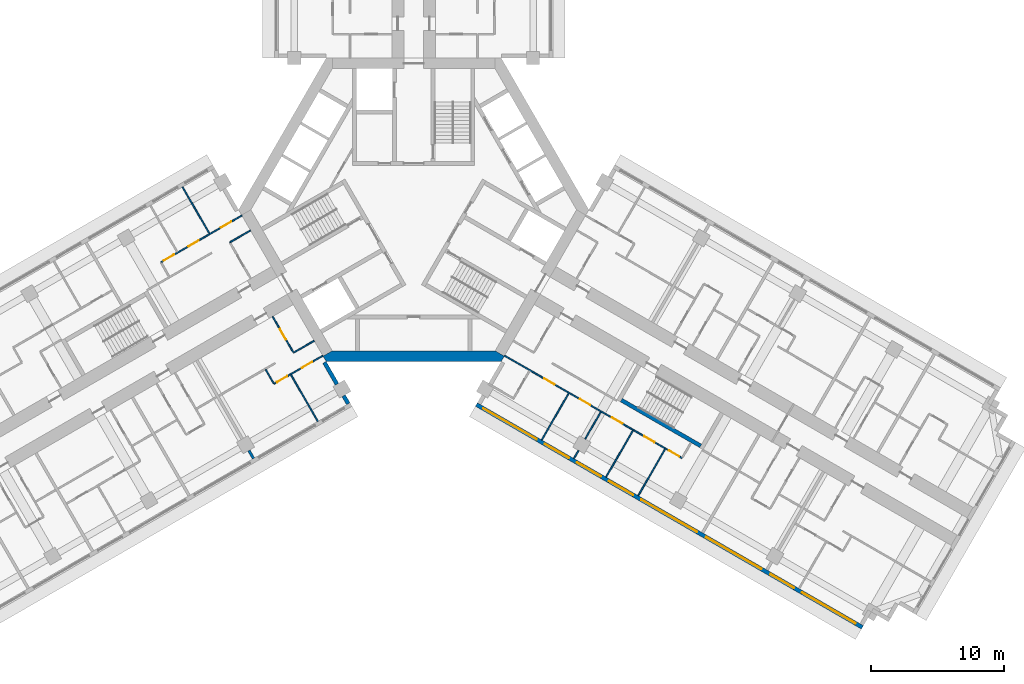
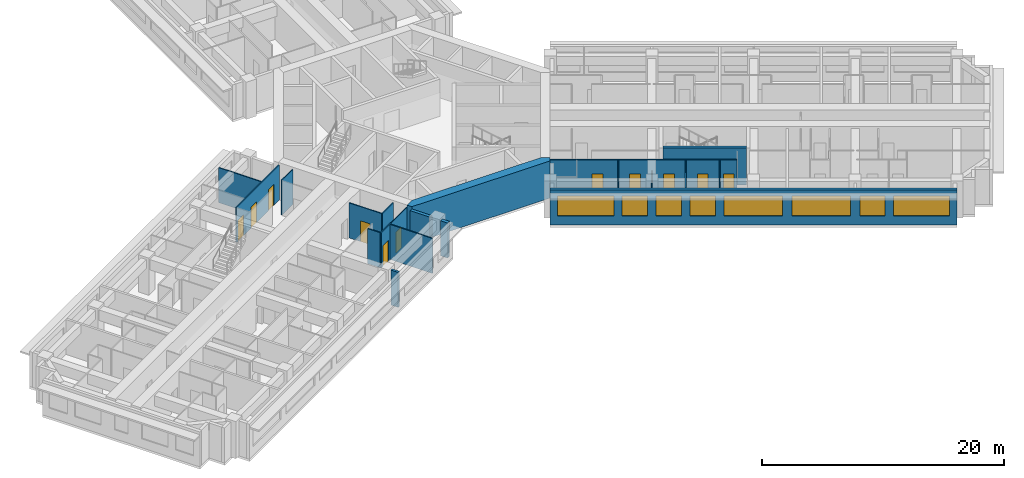
# One storey, part 6 of 16: 20 walls, 11 doors, 8 windows, 19 openings.
"""IFC4 building model written with IfcOpenShell, lengths in metres."""

from ifc_helpers import new_model, si_unit, direction, frame, frame_2d, origin, place, context, subcontext, project, spatial, polyline, rectangle, outline, extrude, material, layer, layer_set, type_object, element, fill, save


model = new_model("IFC4")

# Units and contexts
model_context = context("Model", 3, precision=1e-05, world=origin(), true_north=direction((0.0, 1.0)))
body_context = subcontext(model_context, "Body", "Model", "MODEL_VIEW")
ifc_project = project(units=[si_unit("LENGTHUNIT", "METRE"), si_unit("AREAUNIT", "SQUARE_METRE"), si_unit("VOLUMEUNIT", "CUBIC_METRE"), si_unit("PLANEANGLEUNIT", "RADIAN"), si_unit("MASSUNIT", "GRAM", prefix="KILO")], contexts=[model_context])

# Site, building, storey
site_placement = place(None, origin())
site = spatial("IfcSite", under=ifc_project, at=site_placement, CompositionType="ELEMENT")
building_placement = place(site_placement, origin())
building = spatial("IfcBuilding", under=site, at=building_placement, Name="Impinga Residences", CompositionType="ELEMENT")
storey_placement = place(building_placement, frame((0.0, 0.0, 106.0)))
storey = spatial("IfcBuildingStorey", under=building, at=storey_placement, Name="L25", CompositionType="ELEMENT", Elevation=106.0)

# Wall, openings, windows
ifc_material_1 = material(Name="Terracotta rainscreen on blockwork", Category="masonry")
ifc_layer_1 = layer(ifc_material_1, 0.300048828125)
ifc_layer_set_1 = layer_set([ifc_layer_1], Name="EW1 external wall, terracotta rainscreen on blockwork 300")
wall_type_1 = type_object("IfcWallType", Name="EW1 external wall, terracotta rainscreen on blockwork 300", PredefinedType="SOLIDWALL", material=ifc_layer_set_1)
wall_1_placement = place(storey_placement, frame((33.823486328125, -31.479248046875, 0.0), z_axis=(0.0, 0.0, 1.0), x_axis=(-0.866024291668, 0.500001926238, 0.0)))
wall_1 = element("IfcWall", 1, at=wall_1_placement, inside=storey, type_object=wall_type_1, Name="External wall EW1 L25", PredefinedType="SOLIDWALL", context=body_context, shape_type="SweptSolid", body=[
    extrude(rectangle(XDim=33.599853515625, YDim=0.300048828125, at=frame_2d((16.7998046875, 0.0))), origin(), (0.0, 0.0, 1.0), 3.530029296875),
])
opening_1_placement = place(wall_1_placement, frame((0.60009765625, 0.0, 0.89990234375)))
opening_1 = element("IfcOpeningElement", 2, at=opening_1_placement, cuts=wall_1, Name="Opening W10", PredefinedType="OPENING", context=body_context, shape_type="SweptSolid", body=[
    extrude(rectangle(XDim=4.64990234375, YDim=2.050048828125, at=frame_2d((2.324951171875, 1.02490234375))), frame((0.0, 0.159912109375, 0.0), z_axis=(0.0, -1.0, 0.0), x_axis=(1.0, 0.0, 0.0)), (0.0, 0.0, 1.0), 0.320068359375),
])
opening_2_placement = place(wall_1_placement, frame((5.949951171875, 0.0, 0.89990234375)))
opening_2 = element("IfcOpeningElement", 3, at=opening_2_placement, cuts=wall_1, Name="Opening W14", PredefinedType="OPENING", context=body_context, shape_type="SweptSolid", body=[
    extrude(rectangle(XDim=2.050048828125, YDim=2.050048828125, at=frame_2d((1.02490234375, 1.02490234375))), frame((0.0, 0.159912109375, 0.0), z_axis=(0.0, -1.0, 0.0), x_axis=(1.0, 0.0, 0.0)), (0.0, 0.0, 1.0), 0.320068359375),
])
opening_3_placement = place(wall_1_placement, frame((8.800048828125, 0.0, 0.89990234375)))
opening_3 = element("IfcOpeningElement", 4, at=opening_3_placement, cuts=wall_1, Name="Opening W8", PredefinedType="OPENING", context=body_context, shape_type="SweptSolid", body=[
    extrude(rectangle(XDim=4.800048828125, YDim=2.050048828125, at=frame_2d((2.39990234375, 1.02490234375))), frame((0.0, 0.159912109375, 0.0), z_axis=(0.0, -1.0, 0.0), x_axis=(1.0, 0.0, 0.0)), (0.0, 0.0, 1.0), 0.320068359375),
])
opening_4_placement = place(wall_1_placement, frame((14.39990234375, 0.0, 0.89990234375)))
opening_4 = element("IfcOpeningElement", 5, at=opening_4_placement, cuts=wall_1, Name="Opening W6", PredefinedType="OPENING", context=body_context, shape_type="SweptSolid", body=[
    extrude(rectangle(XDim=4.85009765625, YDim=2.050048828125, at=frame_2d((2.425048828125, 1.02490234375))), frame((0.0, 0.159912109375, 0.0), z_axis=(0.0, -1.0, 0.0), x_axis=(1.0, 0.0, 0.0)), (0.0, 0.0, 1.0), 0.320068359375),
])
opening_5_placement = place(wall_1_placement, frame((19.949951171875, 0.0, 0.89990234375)))
opening_5 = element("IfcOpeningElement", 6, at=opening_5_placement, cuts=wall_1, Name="Opening W9", PredefinedType="OPENING", context=body_context, shape_type="SweptSolid", body=[
    extrude(rectangle(XDim=2.10009765625, YDim=2.050048828125, at=frame_2d((1.050048828125, 1.02490234375))), frame((0.0, 0.159912109375, 0.0), z_axis=(0.0, -1.0, 0.0), x_axis=(1.0, 0.0, 0.0)), (0.0, 0.0, 1.0), 0.320068359375),
])
opening_6_placement = place(wall_1_placement, frame((22.75, 0.0, 0.89990234375)))
opening_6 = element("IfcOpeningElement", 7, at=opening_6_placement, cuts=wall_1, Name="Opening W9", PredefinedType="OPENING", context=body_context, shape_type="SweptSolid", body=[
    extrude(rectangle(XDim=2.10009765625, YDim=2.050048828125, at=frame_2d((1.050048828125, 1.02490234375))), frame((0.0, 0.159912109375, 0.0), z_axis=(0.0, -1.0, 0.0), x_axis=(1.0, 0.0, 0.0)), (0.0, 0.0, 1.0), 0.320068359375),
])
opening_7_placement = place(wall_1_placement, frame((25.550048828125, 0.0, 0.89990234375)))
opening_7 = element("IfcOpeningElement", 8, at=opening_7_placement, cuts=wall_1, Name="Opening W9", PredefinedType="OPENING", context=body_context, shape_type="SweptSolid", body=[
    extrude(rectangle(XDim=2.10009765625, YDim=2.050048828125, at=frame_2d((1.050048828125, 1.02490234375))), frame((0.0, 0.159912109375, 0.0), z_axis=(0.0, -1.0, 0.0), x_axis=(1.0, 0.0, 0.0)), (0.0, 0.0, 1.0), 0.320068359375),
])
opening_8_placement = place(wall_1_placement, frame((28.35009765625, 0.0, 0.89990234375)))
opening_8 = element("IfcOpeningElement", 9, at=opening_8_placement, cuts=wall_1, Name="Opening W10", PredefinedType="OPENING", context=body_context, shape_type="SweptSolid", body=[
    extrude(rectangle(XDim=4.64990234375, YDim=2.050048828125, at=frame_2d((2.324951171875, 1.02490234375))), frame((0.0, 0.159912109375, 0.0), z_axis=(0.0, -1.0, 0.0), x_axis=(1.0, 0.0, 0.0)), (0.0, 0.0, 1.0), 0.320068359375),
])
ifc_material_2 = material(Name="Aluminium window, clear double glazing", Category="aluminium")
window_type_1 = type_object("IfcWindowType", Name="W10 ribbon window 4650x2050", PartitioningType="SINGLE_PANEL", PredefinedType="WINDOW", material=ifc_material_2)
window_1_placement = place(opening_1_placement, origin())
window_1 = element("IfcWindow", 10, at=window_1_placement, inside=storey, type_object=window_type_1, Name="Window L25", OverallHeight=2.050048828125, OverallWidth=4.64990234375, PartitioningType="SINGLE_PANEL", PredefinedType="WINDOW", context=body_context, shape_type="SweptSolid", body=[
    extrude(rectangle(XDim=4.64990234375, YDim=2.050048828125, at=frame_2d((2.324951171875, 1.02490234375))), frame((0.0, 0.030029296875, 0.0), z_axis=(0.0, -1.0, 0.0), x_axis=(1.0, 0.0, 0.0)), (0.0, 0.0, 1.0), 0.06005859375),
])
fill(opening_1, window_1)
window_2_placement = place(opening_8_placement, origin())
window_2 = element("IfcWindow", 11, at=window_2_placement, inside=storey, type_object=window_type_1, Name="Window L25", OverallHeight=2.050048828125, OverallWidth=4.64990234375, PartitioningType="SINGLE_PANEL", PredefinedType="WINDOW", context=body_context, shape_type="SweptSolid", body=[
    extrude(rectangle(XDim=4.64990234375, YDim=2.050048828125, at=frame_2d((2.324951171875, 1.02490234375))), frame((0.0, 0.030029296875, 0.0), z_axis=(0.0, -1.0, 0.0), x_axis=(1.0, 0.0, 0.0)), (0.0, 0.0, 1.0), 0.06005859375),
])
fill(opening_8, window_2)
window_type_2 = type_object("IfcWindowType", Name="W14 ribbon window 2050x2050", PartitioningType="SINGLE_PANEL", PredefinedType="WINDOW", material=ifc_material_2)
window_3_placement = place(opening_2_placement, origin())
window_3 = element("IfcWindow", 12, at=window_3_placement, inside=storey, type_object=window_type_2, Name="Window L25", OverallHeight=2.050048828125, OverallWidth=2.050048828125, PartitioningType="SINGLE_PANEL", PredefinedType="WINDOW", context=body_context, shape_type="SweptSolid", body=[
    extrude(rectangle(XDim=2.050048828125, YDim=2.050048828125, at=frame_2d((1.02490234375, 1.02490234375))), frame((0.0, 0.030029296875, 0.0), z_axis=(0.0, -1.0, 0.0), x_axis=(1.0, 0.0, 0.0)), (0.0, 0.0, 1.0), 0.06005859375),
])
fill(opening_2, window_3)
window_type_3 = type_object("IfcWindowType", Name="W6 ribbon window 4850x2050", PartitioningType="SINGLE_PANEL", PredefinedType="WINDOW", material=ifc_material_2)
window_4_placement = place(opening_4_placement, origin())
window_4 = element("IfcWindow", 13, at=window_4_placement, inside=storey, type_object=window_type_3, Name="Window L25", OverallHeight=2.050048828125, OverallWidth=4.85009765625, PartitioningType="SINGLE_PANEL", PredefinedType="WINDOW", context=body_context, shape_type="SweptSolid", body=[
    extrude(rectangle(XDim=4.85009765625, YDim=2.050048828125, at=frame_2d((2.425048828125, 1.02490234375))), frame((0.0, 0.030029296875, 0.0), z_axis=(0.0, -1.0, 0.0), x_axis=(1.0, 0.0, 0.0)), (0.0, 0.0, 1.0), 0.06005859375),
])
fill(opening_4, window_4)
window_type_4 = type_object("IfcWindowType", Name="W8 ribbon window 4800x2050", PartitioningType="SINGLE_PANEL", PredefinedType="WINDOW", material=ifc_material_2)
window_5_placement = place(opening_3_placement, origin())
window_5 = element("IfcWindow", 14, at=window_5_placement, inside=storey, type_object=window_type_4, Name="Window L25", OverallHeight=2.050048828125, OverallWidth=4.800048828125, PartitioningType="SINGLE_PANEL", PredefinedType="WINDOW", context=body_context, shape_type="SweptSolid", body=[
    extrude(rectangle(XDim=4.800048828125, YDim=2.050048828125, at=frame_2d((2.39990234375, 1.02490234375))), frame((0.0, 0.030029296875, 0.0), z_axis=(0.0, -1.0, 0.0), x_axis=(1.0, 0.0, 0.0)), (0.0, 0.0, 1.0), 0.06005859375),
])
fill(opening_3, window_5)
window_type_5 = type_object("IfcWindowType", Name="W9 ribbon window 2100x2050", PartitioningType="SINGLE_PANEL", PredefinedType="WINDOW", material=ifc_material_2)
window_6_placement = place(opening_5_placement, origin())
window_6 = element("IfcWindow", 15, at=window_6_placement, inside=storey, type_object=window_type_5, Name="Window L25", OverallHeight=2.050048828125, OverallWidth=2.10009765625, PartitioningType="SINGLE_PANEL", PredefinedType="WINDOW", context=body_context, shape_type="SweptSolid", body=[
    extrude(rectangle(XDim=2.10009765625, YDim=2.050048828125, at=frame_2d((1.050048828125, 1.02490234375))), frame((0.0, 0.030029296875, 0.0), z_axis=(0.0, -1.0, 0.0), x_axis=(1.0, 0.0, 0.0)), (0.0, 0.0, 1.0), 0.06005859375),
])
fill(opening_5, window_6)
window_7_placement = place(opening_6_placement, origin())
window_7 = element("IfcWindow", 16, at=window_7_placement, inside=storey, type_object=window_type_5, Name="Window L25", OverallHeight=2.050048828125, OverallWidth=2.10009765625, PartitioningType="SINGLE_PANEL", PredefinedType="WINDOW", context=body_context, shape_type="SweptSolid", body=[
    extrude(rectangle(XDim=2.10009765625, YDim=2.050048828125, at=frame_2d((1.050048828125, 1.02490234375))), frame((0.0, 0.030029296875, 0.0), z_axis=(0.0, -1.0, 0.0), x_axis=(1.0, 0.0, 0.0)), (0.0, 0.0, 1.0), 0.06005859375),
])
fill(opening_6, window_7)
window_8_placement = place(opening_7_placement, origin())
window_8 = element("IfcWindow", 17, at=window_8_placement, inside=storey, type_object=window_type_5, Name="Window L25", OverallHeight=2.050048828125, OverallWidth=2.10009765625, PartitioningType="SINGLE_PANEL", PredefinedType="WINDOW", context=body_context, shape_type="SweptSolid", body=[
    extrude(rectangle(XDim=2.10009765625, YDim=2.050048828125, at=frame_2d((1.050048828125, 1.02490234375))), frame((0.0, 0.030029296875, 0.0), z_axis=(0.0, -1.0, 0.0), x_axis=(1.0, 0.0, 0.0)), (0.0, 0.0, 1.0), 0.06005859375),
])
fill(opening_7, window_8)

# Walls
wall_2_placement = place(storey_placement, frame((-6.72998046875, -11.506591796875, 0.0), z_axis=(0.0, 0.0, 1.0), x_axis=(0.500063520245, -0.865988727248, 0.0)))
element("IfcWall", 18, at=wall_2_placement, inside=storey, type_object=wall_type_1, Name="External wall EW1 L25", PredefinedType="SOLIDWALL", context=body_context, shape_type="SweptSolid", body=[
    extrude(rectangle(XDim=1.900146484375, YDim=0.300048828125, at=frame_2d((0.9501953125, 0.0))), origin(), (0.0, 0.0, 1.0), 3.530029296875),
])
wall_3_placement = place(storey_placement, frame((-5.27978515625, -14.01806640625, 0.0), z_axis=(0.0, 0.0, 1.0), x_axis=(0.499853302173, -0.866110083249, 0.0)))
element("IfcWall", 19, at=wall_3_placement, inside=storey, type_object=wall_type_1, Name="External wall EW1 L25", PredefinedType="SOLIDWALL", context=body_context, shape_type="SweptSolid", body=[
    extrude(rectangle(XDim=0.699951171875, YDim=0.300048828125, at=frame_2d((0.35009765625, 0.0))), origin(), (0.0, 0.0, 1.0), 3.530029296875),
])
ifc_material_3 = material(Name="Gypsum board on steel studs", Category="steel")
ifc_layer_2 = layer(ifc_material_3, 0.10009765625)
ifc_layer_set_2 = layer_set([ifc_layer_2], Name="Gypsum board on steel studs")
wall_type_2 = type_object("IfcWallType", Name="IP1 partition 100", PredefinedType="PARTITIONING", material=ifc_layer_set_2)
wall_4_placement = place(storey_placement, frame((-7.5, -9.872802734375, 0.0), z_axis=(0.0, 0.0, 1.0), x_axis=(-0.866047807691, -0.499961193289, 0.0)))
element("IfcWall", 20, at=wall_4_placement, inside=storey, type_object=wall_type_2, Name="Partition L25-WA1:DIV0", PredefinedType="PARTITIONING", context=body_context, shape_type="SweptSolid", body=[
    extrude(rectangle(XDim=1.800048828125, YDim=0.10009765625, at=frame_2d((0.89990234375, 0.0))), origin(), (0.0, 0.0, 1.0), 3.530029296875),
])

# Wall, openings, doors
wall_5_placement = place(storey_placement, frame((-6.85009765625, -10.99853515625, 0.0), z_axis=(0.0, 0.0, 1.0), x_axis=(-0.866014341725, -0.50001915956, 0.0)))
wall_5 = element("IfcWall", 21, at=wall_5_placement, inside=storey, type_object=wall_type_2, Name="Partition L25-WA1:STRIP", PredefinedType="PARTITIONING", context=body_context, shape_type="SweptSolid", body=[
    extrude(rectangle(XDim=4.249755859375, YDim=0.10009765625, at=frame_2d((2.125, 0.0))), origin(), (0.0, 0.0, 1.0), 3.530029296875),
])
opening_9_placement = place(wall_5_placement, frame((0.925048828125, 0.0, 0.0)))
opening_9 = element("IfcOpeningElement", 22, at=opening_9_placement, cuts=wall_5, Name="Opening D2", PredefinedType="OPENING", context=body_context, shape_type="SweptSolid", body=[
    extrude(rectangle(XDim=0.89990234375, YDim=2.10009765625, at=frame_2d((0.449951171875, 1.050048828125))), frame((0.0, 0.06005859375, 0.0), z_axis=(0.0, -1.0, 0.0), x_axis=(1.0, 0.0, 0.0)), (0.0, 0.0, 1.0), 0.1201171875),
])
opening_10_placement = place(wall_5_placement, frame((3.10009765625, 0.0, 0.0)))
opening_10 = element("IfcOpeningElement", 23, at=opening_10_placement, cuts=wall_5, Name="Opening D2", PredefinedType="OPENING", context=body_context, shape_type="SweptSolid", body=[
    extrude(rectangle(XDim=0.89990234375, YDim=2.10009765625, at=frame_2d((0.449951171875, 1.050048828125))), frame((0.0, 0.06005859375, 0.0), z_axis=(0.0, -1.0, 0.0), x_axis=(1.0, 0.0, 0.0)), (0.0, 0.0, 1.0), 0.1201171875),
])
ifc_material_4 = material(Name="Timber door set", Category="wood")
door_type = type_object("IfcDoorType", Name="D2 internal door 900x2100", OperationType="SINGLE_SWING_LEFT", PredefinedType="DOOR", material=ifc_material_4)
door_1_placement = place(opening_9_placement, origin())
door_1 = element("IfcDoor", 24, at=door_1_placement, inside=storey, type_object=door_type, Name="Apartment L25-WA1 room door", OperationType="SINGLE_SWING_LEFT", OverallHeight=2.10009765625, OverallWidth=0.89990234375, PredefinedType="DOOR", context=body_context, shape_type="SweptSolid", body=[
    extrude(rectangle(XDim=0.89990234375, YDim=2.10009765625, at=frame_2d((0.449951171875, 1.050048828125))), frame((0.0, 0.02490234375, 0.0), z_axis=(0.0, -1.0, 0.0), x_axis=(1.0, 0.0, 0.0)), (0.0, 0.0, 1.0), 0.050048828125),
])
fill(opening_9, door_1)
door_2_placement = place(opening_10_placement, origin())
door_2 = element("IfcDoor", 25, at=door_2_placement, inside=storey, type_object=door_type, Name="Apartment L25-WA1 room door", OperationType="SINGLE_SWING_RIGHT", OverallHeight=2.10009765625, OverallWidth=0.89990234375, PredefinedType="DOOR", context=body_context, shape_type="SweptSolid", body=[
    extrude(rectangle(XDim=0.89990234375, YDim=2.10009765625, at=frame_2d((0.449951171875, 1.050048828125))), frame((0.0, 0.02490234375, 0.0), z_axis=(0.0, -1.0, 0.0), x_axis=(1.0, 0.0, 0.0)), (0.0, 0.0, 1.0), 0.050048828125),
])
fill(opening_10, door_2)

# Wall
wall_6_placement = place(storey_placement, frame((-11.155517578125, -12.041015625, 0.0), z_axis=(0.0, 0.0, 1.0), x_axis=(0.499880961361, -0.866094119867, 0.0)))
element("IfcWall", 26, at=wall_6_placement, inside=storey, type_object=wall_type_2, Name="Partition L25-WA1:SE1", PredefinedType="PARTITIONING", context=body_context, shape_type="SweptSolid", body=[
    extrude(rectangle(XDim=1.199951171875, YDim=0.10009765625, at=frame_2d((0.60009765625, 0.0))), origin(), (0.0, 0.0, 1.0), 3.530029296875),
])

# Wall, opening, door
wall_7_placement = place(storey_placement, frame((-10.6337890625, -8.044677734375, 0.0), z_axis=(0.0, 0.0, 1.0), x_axis=(0.49999285859, -0.86602952684, 0.0)))
wall_7 = element("IfcWall", 27, at=wall_7_placement, inside=storey, type_object=wall_type_2, Name="Partition L25-WA1:IB1", PredefinedType="PARTITIONING", context=body_context, shape_type="SweptSolid", body=[
    extrude(rectangle(XDim=3.10009765625, YDim=0.10009765625, at=frame_2d((1.550048828125, 0.0))), origin(), (0.0, 0.0, 1.0), 3.530029296875),
])
opening_11_placement = place(wall_7_placement, frame((1.10009765625, 0.0, 0.0)))
opening_11 = element("IfcOpeningElement", 28, at=opening_11_placement, cuts=wall_7, Name="Opening D2", PredefinedType="OPENING", context=body_context, shape_type="SweptSolid", body=[
    extrude(rectangle(XDim=0.89990234375, YDim=2.10009765625, at=frame_2d((0.449951171875, 1.050048828125))), frame((0.0, 0.06005859375, 0.0), z_axis=(0.0, -1.0, 0.0), x_axis=(1.0, 0.0, 0.0)), (0.0, 0.0, 1.0), 0.1201171875),
])
door_3_placement = place(opening_11_placement, origin())
door_3 = element("IfcDoor", 29, at=door_3_placement, inside=storey, type_object=door_type, Name="Apartment L25-WA1 bathroom door", OperationType="SINGLE_SWING_LEFT", OverallHeight=2.10009765625, OverallWidth=0.89990234375, PredefinedType="DOOR", context=body_context, shape_type="SweptSolid", body=[
    extrude(rectangle(XDim=0.89990234375, YDim=2.10009765625, at=frame_2d((0.449951171875, 1.050048828125))), frame((0.0, 0.02490234375, 0.0), z_axis=(0.0, -1.0, 0.0), x_axis=(1.0, 0.0, 0.0)), (0.0, 0.0, 1.0), 0.050048828125),
])
fill(opening_11, door_3)

# Walls
wall_8_placement = place(storey_placement, frame((-9.249755859375, -12.44189453125, 0.0), z_axis=(0.0, 0.0, 1.0), x_axis=(0.499990325971, -0.866030989016, 0.0)))
element("IfcWall", 30, at=wall_8_placement, inside=storey, type_object=wall_type_2, Name="Partition L25-WA1:OB1", PredefinedType="PARTITIONING", context=body_context, shape_type="SweptSolid", body=[
    extrude(rectangle(XDim=4.0498046875, YDim=0.10009765625, at=frame_2d((2.02490234375, 0.0))), origin(), (0.0, 0.0, 1.0), 3.530029296875),
])
wall_9_placement = place(storey_placement, frame((-12.300048828125, -1.558837890625, 0.0), z_axis=(0.0, 0.0, 1.0), x_axis=(-0.866047807691, -0.499961193289, 0.0)))
element("IfcWall", 31, at=wall_9_placement, inside=storey, type_object=wall_type_2, Name="Partition L25-WF1:DIV0", PredefinedType="PARTITIONING", context=body_context, shape_type="SweptSolid", body=[
    extrude(rectangle(XDim=1.800048828125, YDim=0.10009765625, at=frame_2d((0.89990234375, 0.0))), origin(), (0.0, 0.0, 1.0), 3.530029296875),
])

# Wall, openings, doors
wall_10_placement = place(storey_placement, frame((-12.949951171875, -0.43310546875, 0.0), z_axis=(0.0, 0.0, 1.0), x_axis=(-0.866031034943, -0.499990246421, 0.0)))
wall_10 = element("IfcWall", 32, at=wall_10_placement, inside=storey, type_object=wall_type_2, Name="Partition L25-WF1:STRIP", PredefinedType="PARTITIONING", context=body_context, shape_type="SweptSolid", body=[
    extrude(rectangle(XDim=7.050048828125, YDim=0.10009765625, at=frame_2d((3.52490234375, 0.0))), origin(), (0.0, 0.0, 1.0), 3.530029296875),
])
opening_12_placement = place(wall_10_placement, frame((0.925048828125, 0.0, 0.0)))
opening_12 = element("IfcOpeningElement", 33, at=opening_12_placement, cuts=wall_10, Name="Opening D2", PredefinedType="OPENING", context=body_context, shape_type="SweptSolid", body=[
    extrude(rectangle(XDim=0.89990234375, YDim=2.10009765625, at=frame_2d((0.449951171875, 1.050048828125))), frame((0.0, 0.06005859375, 0.0), z_axis=(0.0, -1.0, 0.0), x_axis=(1.0, 0.0, 0.0)), (0.0, 0.0, 1.0), 0.1201171875),
])
opening_13_placement = place(wall_10_placement, frame((3.75, 0.0, 0.0)))
opening_13 = element("IfcOpeningElement", 34, at=opening_13_placement, cuts=wall_10, Name="Opening D2", PredefinedType="OPENING", context=body_context, shape_type="SweptSolid", body=[
    extrude(rectangle(XDim=0.89990234375, YDim=2.10009765625, at=frame_2d((0.449951171875, 1.050048828125))), frame((0.0, 0.06005859375, 0.0), z_axis=(0.0, -1.0, 0.0), x_axis=(1.0, 0.0, 0.0)), (0.0, 0.0, 1.0), 0.1201171875),
])
opening_14_placement = place(wall_10_placement, frame((5.89990234375, 0.0, 0.0)))
opening_14 = element("IfcOpeningElement", 35, at=opening_14_placement, cuts=wall_10, Name="Opening D2", PredefinedType="OPENING", context=body_context, shape_type="SweptSolid", body=[
    extrude(rectangle(XDim=0.89990234375, YDim=2.10009765625, at=frame_2d((0.449951171875, 1.050048828125))), frame((0.0, 0.06005859375, 0.0), z_axis=(0.0, -1.0, 0.0), x_axis=(1.0, 0.0, 0.0)), (0.0, 0.0, 1.0), 0.1201171875),
])
door_4_placement = place(opening_12_placement, origin())
door_4 = element("IfcDoor", 36, at=door_4_placement, inside=storey, type_object=door_type, Name="Apartment L25-WF1 room door", OperationType="SINGLE_SWING_LEFT", OverallHeight=2.10009765625, OverallWidth=0.89990234375, PredefinedType="DOOR", context=body_context, shape_type="SweptSolid", body=[
    extrude(rectangle(XDim=0.89990234375, YDim=2.10009765625, at=frame_2d((0.449951171875, 1.050048828125))), frame((0.0, 0.02490234375, 0.0), z_axis=(0.0, -1.0, 0.0), x_axis=(1.0, 0.0, 0.0)), (0.0, 0.0, 1.0), 0.050048828125),
])
fill(opening_12, door_4)
door_5_placement = place(opening_13_placement, origin())
door_5 = element("IfcDoor", 37, at=door_5_placement, inside=storey, type_object=door_type, Name="Apartment L25-WF1 room door", OperationType="SINGLE_SWING_RIGHT", OverallHeight=2.10009765625, OverallWidth=0.89990234375, PredefinedType="DOOR", context=body_context, shape_type="SweptSolid", body=[
    extrude(rectangle(XDim=0.89990234375, YDim=2.10009765625, at=frame_2d((0.449951171875, 1.050048828125))), frame((0.0, 0.02490234375, 0.0), z_axis=(0.0, -1.0, 0.0), x_axis=(1.0, 0.0, 0.0)), (0.0, 0.0, 1.0), 0.050048828125),
])
fill(opening_13, door_5)
door_6_placement = place(opening_14_placement, origin())
door_6 = element("IfcDoor", 38, at=door_6_placement, inside=storey, type_object=door_type, Name="Apartment L25-WF1 room door", OperationType="SINGLE_SWING_RIGHT", OverallHeight=2.10009765625, OverallWidth=0.89990234375, PredefinedType="DOOR", context=body_context, shape_type="SweptSolid", body=[
    extrude(rectangle(XDim=0.89990234375, YDim=2.10009765625, at=frame_2d((0.449951171875, 1.050048828125))), frame((0.0, 0.02490234375, 0.0), z_axis=(0.0, -1.0, 0.0), x_axis=(1.0, 0.0, 0.0)), (0.0, 0.0, 1.0), 0.050048828125),
])
fill(opening_14, door_6)

# Wall
wall_11_placement = place(storey_placement, frame((-15.39990234375, -1.789794921875, 0.0), z_axis=(0.0, 0.0, 1.0), x_axis=(-0.499964223975, 0.866046058097, 0.0)))
element("IfcWall", 39, at=wall_11_placement, inside=storey, type_object=wall_type_2, Name="Partition L25-WF1:OB1", PredefinedType="PARTITIONING", context=body_context, shape_type="SweptSolid", body=[
    extrude(rectangle(XDim=4.050048828125, YDim=0.10009765625, at=frame_2d((2.02490234375, 0.0))), origin(), (0.0, 0.0, 1.0), 3.530029296875),
])

# Wall, openings, doors
wall_12_placement = place(storey_placement, frame((6.85009765625, -10.99853515625, 0.0), z_axis=(0.0, 0.0, 1.0), x_axis=(0.866019273868, -0.500010617176, 0.0)))
wall_12 = element("IfcWall", 40, at=wall_12_placement, inside=storey, type_object=wall_type_2, Name="Partition L25-EF1:STRIP", PredefinedType="PARTITIONING", context=body_context, shape_type="SweptSolid", body=[
    extrude(rectangle(XDim=15.449951171875, YDim=0.10009765625, at=frame_2d((7.72509765625, 0.0))), origin(), (0.0, 0.0, 1.0), 3.530029296875),
])
opening_15_placement = place(wall_12_placement, frame((3.449951171875, 0.0, 0.0)))
opening_15 = element("IfcOpeningElement", 41, at=opening_15_placement, cuts=wall_12, Name="Opening D2", PredefinedType="OPENING", context=body_context, shape_type="SweptSolid", body=[
    extrude(rectangle(XDim=0.89990234375, YDim=2.10009765625, at=frame_2d((0.449951171875, 1.050048828125))), frame((0.0, 0.06005859375, 0.0), z_axis=(0.0, -1.0, 0.0), x_axis=(1.0, 0.0, 0.0)), (0.0, 0.0, 1.0), 0.1201171875),
])
opening_16_placement = place(wall_12_placement, frame((6.550048828125, 0.0, 0.0)))
opening_16 = element("IfcOpeningElement", 42, at=opening_16_placement, cuts=wall_12, Name="Opening D2", PredefinedType="OPENING", context=body_context, shape_type="SweptSolid", body=[
    extrude(rectangle(XDim=0.89990234375, YDim=2.10009765625, at=frame_2d((0.449951171875, 1.050048828125))), frame((0.0, 0.06005859375, 0.0), z_axis=(0.0, -1.0, 0.0), x_axis=(1.0, 0.0, 0.0)), (0.0, 0.0, 1.0), 0.1201171875),
])
opening_17_placement = place(wall_12_placement, frame((9.35009765625, 0.0, 0.0)))
opening_17 = element("IfcOpeningElement", 43, at=opening_17_placement, cuts=wall_12, Name="Opening D2", PredefinedType="OPENING", context=body_context, shape_type="SweptSolid", body=[
    extrude(rectangle(XDim=0.89990234375, YDim=2.10009765625, at=frame_2d((0.449951171875, 1.050048828125))), frame((0.0, 0.06005859375, 0.0), z_axis=(0.0, -1.0, 0.0), x_axis=(1.0, 0.0, 0.0)), (0.0, 0.0, 1.0), 0.1201171875),
])
opening_18_placement = place(wall_12_placement, frame((12.14990234375, 0.0, 0.0)))
opening_18 = element("IfcOpeningElement", 44, at=opening_18_placement, cuts=wall_12, Name="Opening D2", PredefinedType="OPENING", context=body_context, shape_type="SweptSolid", body=[
    extrude(rectangle(XDim=0.89990234375, YDim=2.10009765625, at=frame_2d((0.449951171875, 1.050048828125))), frame((0.0, 0.06005859375, 0.0), z_axis=(0.0, -1.0, 0.0), x_axis=(1.0, 0.0, 0.0)), (0.0, 0.0, 1.0), 0.1201171875),
])
opening_19_placement = place(wall_12_placement, frame((14.300048828125, 0.0, 0.0)))
opening_19 = element("IfcOpeningElement", 45, at=opening_19_placement, cuts=wall_12, Name="Opening D2", PredefinedType="OPENING", context=body_context, shape_type="SweptSolid", body=[
    extrude(rectangle(XDim=0.89990234375, YDim=2.10009765625, at=frame_2d((0.449951171875, 1.050048828125))), frame((0.0, 0.06005859375, 0.0), z_axis=(0.0, -1.0, 0.0), x_axis=(1.0, 0.0, 0.0)), (0.0, 0.0, 1.0), 0.1201171875),
])
door_7_placement = place(opening_15_placement, origin())
door_7 = element("IfcDoor", 46, at=door_7_placement, inside=storey, type_object=door_type, Name="Apartment L25-EF1 room door", OperationType="SINGLE_SWING_LEFT", OverallHeight=2.10009765625, OverallWidth=0.89990234375, PredefinedType="DOOR", context=body_context, shape_type="SweptSolid", body=[
    extrude(rectangle(XDim=0.89990234375, YDim=2.10009765625, at=frame_2d((0.449951171875, 1.050048828125))), frame((0.0, 0.02490234375, 0.0), z_axis=(0.0, -1.0, 0.0), x_axis=(1.0, 0.0, 0.0)), (0.0, 0.0, 1.0), 0.050048828125),
])
fill(opening_15, door_7)
door_8_placement = place(opening_16_placement, origin())
door_8 = element("IfcDoor", 47, at=door_8_placement, inside=storey, type_object=door_type, Name="Apartment L25-EF1 room door", OperationType="SINGLE_SWING_LEFT", OverallHeight=2.10009765625, OverallWidth=0.89990234375, PredefinedType="DOOR", context=body_context, shape_type="SweptSolid", body=[
    extrude(rectangle(XDim=0.89990234375, YDim=2.10009765625, at=frame_2d((0.449951171875, 1.050048828125))), frame((0.0, 0.02490234375, 0.0), z_axis=(0.0, -1.0, 0.0), x_axis=(1.0, 0.0, 0.0)), (0.0, 0.0, 1.0), 0.050048828125),
])
fill(opening_16, door_8)
door_9_placement = place(opening_17_placement, origin())
door_9 = element("IfcDoor", 48, at=door_9_placement, inside=storey, type_object=door_type, Name="Apartment L25-EF1 room door", OperationType="SINGLE_SWING_RIGHT", OverallHeight=2.10009765625, OverallWidth=0.89990234375, PredefinedType="DOOR", context=body_context, shape_type="SweptSolid", body=[
    extrude(rectangle(XDim=0.89990234375, YDim=2.10009765625, at=frame_2d((0.449951171875, 1.050048828125))), frame((0.0, 0.02490234375, 0.0), z_axis=(0.0, -1.0, 0.0), x_axis=(1.0, 0.0, 0.0)), (0.0, 0.0, 1.0), 0.050048828125),
])
fill(opening_17, door_9)
door_10_placement = place(opening_18_placement, origin())
door_10 = element("IfcDoor", 49, at=door_10_placement, inside=storey, type_object=door_type, Name="Apartment L25-EF1 room door", OperationType="SINGLE_SWING_RIGHT", OverallHeight=2.10009765625, OverallWidth=0.89990234375, PredefinedType="DOOR", context=body_context, shape_type="SweptSolid", body=[
    extrude(rectangle(XDim=0.89990234375, YDim=2.10009765625, at=frame_2d((0.449951171875, 1.050048828125))), frame((0.0, 0.02490234375, 0.0), z_axis=(0.0, -1.0, 0.0), x_axis=(1.0, 0.0, 0.0)), (0.0, 0.0, 1.0), 0.050048828125),
])
fill(opening_18, door_10)
door_11_placement = place(opening_19_placement, origin())
door_11 = element("IfcDoor", 50, at=door_11_placement, inside=storey, type_object=door_type, Name="Apartment L25-EF1 room door", OperationType="SINGLE_SWING_RIGHT", OverallHeight=2.10009765625, OverallWidth=0.89990234375, PredefinedType="DOOR", context=body_context, shape_type="SweptSolid", body=[
    extrude(rectangle(XDim=0.89990234375, YDim=2.10009765625, at=frame_2d((0.449951171875, 1.050048828125))), frame((0.0, 0.02490234375, 0.0), z_axis=(0.0, -1.0, 0.0), x_axis=(1.0, 0.0, 0.0)), (0.0, 0.0, 1.0), 0.050048828125),
])
fill(opening_19, door_11)

# Walls
wall_13_placement = place(storey_placement, frame((11.6748046875, -13.841796875, 0.0), z_axis=(0.0, 0.0, 1.0), x_axis=(-0.500035537042, -0.866004885491, 0.0)))
element("IfcWall", 51, at=wall_13_placement, inside=storey, type_object=wall_type_2, Name="Partition L25-EF1:OB1", PredefinedType="PARTITIONING", context=body_context, shape_type="SweptSolid", body=[
    extrude(rectangle(XDim=4.050048828125, YDim=0.10009765625, at=frame_2d((2.02490234375, 0.0))), origin(), (0.0, 0.0, 1.0), 3.530029296875),
])
wall_14_placement = place(storey_placement, frame((14.099609375, -15.241943359375, 0.0), z_axis=(0.0, 0.0, 1.0), x_axis=(-0.500016218704, -0.866016039709, 0.0)))
element("IfcWall", 52, at=wall_14_placement, inside=storey, type_object=wall_type_2, Name="Partition L25-EF1:OB2", PredefinedType="PARTITIONING", context=body_context, shape_type="SweptSolid", body=[
    extrude(rectangle(XDim=2.35009765625, YDim=0.10009765625, at=frame_2d((1.175048828125, 0.0))), origin(), (0.0, 0.0, 1.0), 2.47998046875),
])
wall_15_placement = place(storey_placement, frame((12.424560546875, -18.14306640625, 0.0), z_axis=(0.0, 0.0, 1.0), x_axis=(-0.499853302173, -0.866110083249, 0.0)))
element("IfcWall", 53, at=wall_15_placement, inside=storey, type_object=wall_type_2, Name="Partition L25-EF1:OB2b", PredefinedType="PARTITIONING", context=body_context, shape_type="SweptSolid", body=[
    extrude(rectangle(XDim=0.699951171875, YDim=0.10009765625, at=frame_2d((0.35009765625, 0.0))), origin(), (0.0, 0.0, 1.0), 3.530029296875),
])
wall_16_placement = place(storey_placement, frame((16.5244140625, -16.641845703125, 0.0), z_axis=(0.0, 0.0, 1.0), x_axis=(-0.499990325971, -0.866030989016, 0.0)))
element("IfcWall", 54, at=wall_16_placement, inside=storey, type_object=wall_type_2, Name="Partition L25-EF1:OB3", PredefinedType="PARTITIONING", context=body_context, shape_type="SweptSolid", body=[
    extrude(rectangle(XDim=4.0498046875, YDim=0.10009765625, at=frame_2d((2.02490234375, 0.0))), origin(), (0.0, 0.0, 1.0), 3.530029296875),
])
wall_17_placement = place(storey_placement, frame((18.949462890625, -18.041748046875, 0.0), z_axis=(0.0, 0.0, 1.0), x_axis=(-0.50000943426, -0.866019956843, 0.0)))
element("IfcWall", 55, at=wall_17_placement, inside=storey, type_object=wall_type_2, Name="Partition L25-EF1:OB4", PredefinedType="PARTITIONING", context=body_context, shape_type="SweptSolid", body=[
    extrude(rectangle(XDim=4.05029296875, YDim=0.10009765625, at=frame_2d((2.025146484375, 0.0))), origin(), (0.0, 0.0, 1.0), 3.530029296875),
])
ifc_material_5 = material(Name="Concrete blockwork", Category="masonry")
ifc_layer_3 = layer(ifc_material_5, 0.199951171875)
ifc_layer_set_3 = layer_set([ifc_layer_3], Name="PW1 party wall between apartments 200")
wall_type_3 = type_object("IfcWallType", Name="PW1 party wall between apartments 200", PredefinedType="SOLIDWALL", material=ifc_layer_set_3)
wall_18_placement = place(storey_placement, frame((-12.424560546875, -18.14306640625, 0.0), z_axis=(0.0, 0.0, 1.0), x_axis=(0.499853302173, -0.866110083249, 0.0)))
element("IfcWall", 56, at=wall_18_placement, inside=storey, type_object=wall_type_3, Name="Party wall between apartments L25-WA1:PARTYb", PredefinedType="SOLIDWALL", context=body_context, shape_type="SweptSolid", body=[
    extrude(rectangle(XDim=0.699951171875, YDim=0.199951171875, at=frame_2d((0.35009765625, 0.0))), origin(), (0.0, 0.0, 1.0), 3.530029296875),
])
ifc_material_6 = material(Name="Concrete C60/75", Category="concrete")
ifc_layer_4 = layer(ifc_material_6, 0.300048828125)
ifc_layer_set_4 = layer_set([ifc_layer_4], Name="Concrete C60/75")
wall_type_4 = type_object("IfcWallType", Name="SE1 wing stair enclosure wall 300", PredefinedType="SOLIDWALL", material=ifc_layer_set_4)
wall_19_placement = place(storey_placement, frame((15.654052734375, -14.349365234375, 0.0), z_axis=(0.0, 0.0, 1.0), x_axis=(0.866013532718, -0.500020560727, 0.0)))
element("IfcWall", 57, at=wall_19_placement, inside=storey, type_object=wall_type_4, Name="Stair enclosure wall SE1 E OUT L25", PredefinedType="SOLIDWALL", context=body_context, shape_type="SweptSolid", body=[
    extrude(rectangle(XDim=6.900146484375, YDim=0.300048828125, at=frame_2d((3.4501953125, 0.0))), origin(), (0.0, 0.0, 1.0), 3.75),
])
ifc_layer_5 = layer(ifc_material_6, 0.800048828125)
ifc_layer_set_5 = layer_set([ifc_layer_5], Name="Concrete C60/75")
wall_type_5 = type_object("IfcWallType", Name="SW2 core wall 800", PredefinedType="SHEAR", material=ifc_layer_set_5)
wall_20_placement = place(storey_placement, origin())
element("IfcWall", 58, at=wall_20_placement, inside=storey, type_object=wall_type_5, Name="Core wall SW2 N:EXPOSED L25", PredefinedType="SHEAR", context=body_context, shape_type="SweptSolid", body=[
    extrude(outline(polyline([(-6.60009765625, -11.431640625), (6.60009765625, -11.431640625), (6.8310546875, -11.031494140625), (6.13818359375, -10.631591796875), (-6.13818359375, -10.631591796875), (-6.8310546875, -11.031494140625), (-6.60009765625, -11.431640625)])), origin(), (0.0, 0.0, 1.0), 3.75),
])

save(model, "model.ifc")
